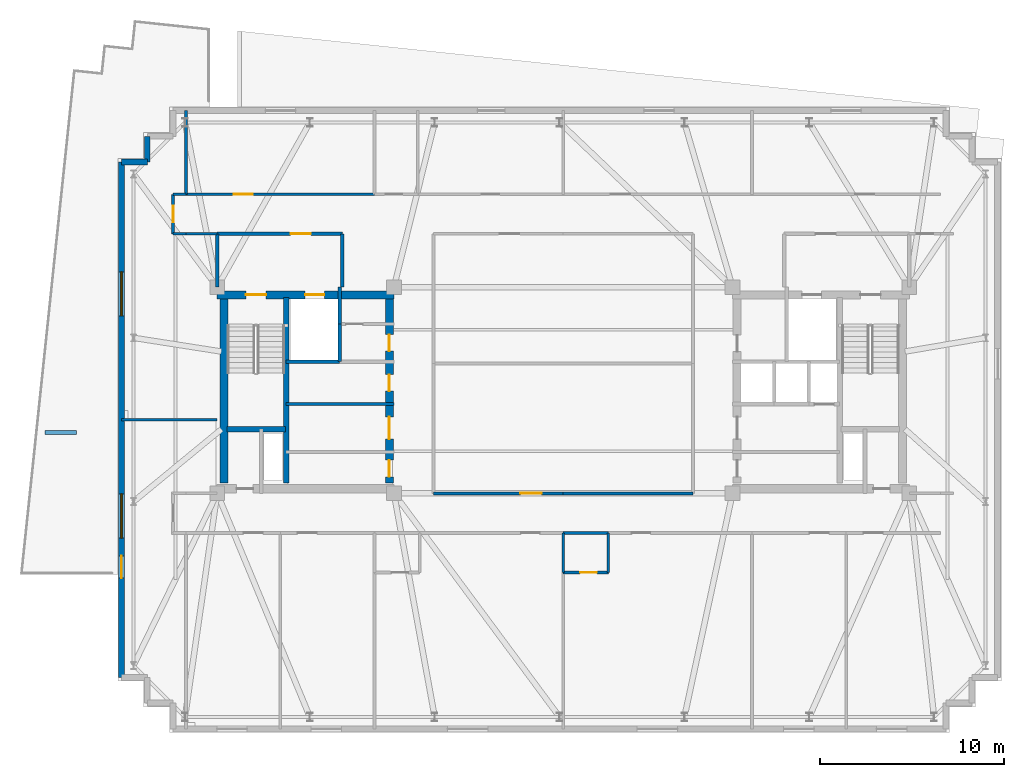
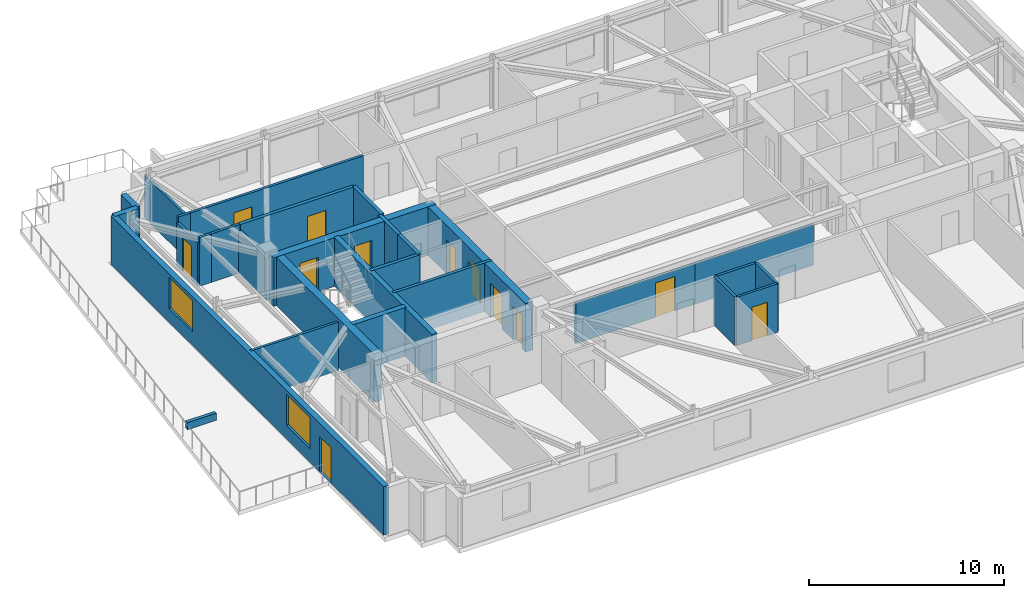
# One storey, part 6 of 12: 29 walls, 12 doors, 2 windows, 14 openings.
"""IFC4 building model written with IfcOpenShell, lengths in metres."""

from ifc_helpers import new_model, si_unit, direction, frame, frame_2d, origin, place, context, subcontext, project, spatial, rectangle, extrude, material, layer, layer_set, type_object, element, fill, save


model = new_model("IFC4")

# Units and contexts
model_context = context("Model", 3, precision=1e-05, world=origin(), true_north=direction((0.0, 1.0)))
body_context = subcontext(model_context, "Body", "Model", "MODEL_VIEW")
ifc_project = project(units=[si_unit("LENGTHUNIT", "METRE"), si_unit("AREAUNIT", "SQUARE_METRE"), si_unit("VOLUMEUNIT", "CUBIC_METRE"), si_unit("PLANEANGLEUNIT", "RADIAN"), si_unit("MASSUNIT", "GRAM", prefix="KILO")], contexts=[model_context])

# Site, building, storey
site_placement = place(None, origin())
site = spatial("IfcSite", under=ifc_project, at=site_placement, CompositionType="ELEMENT")
building_placement = place(site_placement, origin())
building = spatial("IfcBuilding", under=site, at=building_placement, Name="Qobustan Lattice House", CompositionType="ELEMENT")
storey_placement = place(building_placement, frame((0.0, 0.0, 228.300048828125)))
storey = spatial("IfcBuildingStorey", under=building, at=storey_placement, Name="L64", CompositionType="ELEMENT", Elevation=228.300048828125)

# Wall, openings, doors
ifc_material_1 = material(Name="Concrete C50/60", Category="concrete")
ifc_layer_1 = layer(ifc_material_1, 0.43994140625)
ifc_layer_set_1 = layer_set([ifc_layer_1], Name="Concrete C50/60")
wall_type_1 = type_object("IfcWallType", Name="WAL-CORE-440", PredefinedType="SHEAR", material=ifc_layer_set_1)
wall_1_placement = place(storey_placement, frame((-18.800048828125, 5.179931640625, 0.0), z_axis=(0.0, 0.0, 1.0), x_axis=(1.0, 0.0, 0.0)))
wall_1 = element("IfcWall", 1, at=wall_1_placement, inside=storey, type_object=wall_type_1, Name="L64 split-core shear wall CW-N", PredefinedType="SHEAR", context=body_context, shape_type="SweptSolid", body=[
    extrude(rectangle(XDim=9.60009765625, YDim=0.43994140625, at=frame_2d((4.800048828125, 0.0))), origin(), (0.0, 0.0, 1.0), 3.0400390625),
])
opening_1_placement = place(wall_1_placement, frame((1.550048828125, 0.0, 0.0)))
opening_1 = element("IfcOpeningElement", 2, at=opening_1_placement, cuts=wall_1, Name="Opening SD-01", PredefinedType="OPENING", context=body_context, shape_type="SweptSolid", body=[
    extrude(rectangle(XDim=1.10009765625, YDim=2.14990234375, at=frame_2d((0.550048828125, 1.074951171875))), frame((0.0, 0.22998046875, 0.0), z_axis=(0.0, -1.0, 0.0), x_axis=(1.0, 0.0, 0.0)), (0.0, 0.0, 1.0), 0.4599609375),
])
opening_2_placement = place(wall_1_placement, frame((4.77490234375, 0.0, 0.0)))
opening_2 = element("IfcOpeningElement", 3, at=opening_2_placement, cuts=wall_1, Name="Opening LD-01", PredefinedType="OPENING", context=body_context, shape_type="SweptSolid", body=[
    extrude(rectangle(XDim=1.050048828125, YDim=2.10009765625, at=frame_2d((0.52490234375, 1.050048828125))), frame((0.0, 0.22998046875, 0.0), z_axis=(0.0, -1.0, 0.0), x_axis=(1.0, 0.0, 0.0)), (0.0, 0.0, 1.0), 0.4599609375),
])
ifc_material_2 = material(Name="Persian walnut timber and steel frame door", Category="steel")
door_type_1 = type_object("IfcDoorType", Name="DOR-LIFT-LD-1050x2100", OperationType="NOTDEFINED", PredefinedType="DOOR", material=ifc_material_2)
door_1_placement = place(opening_2_placement, origin())
door_1 = element("IfcDoor", 4, at=door_1_placement, inside=storey, type_object=door_type_1, Name="L64 firefighting lift FF-W landing door", OperationType="DOUBLE_DOOR_SLIDING", OverallHeight=2.10009765625, OverallWidth=1.050048828125, PredefinedType="DOOR", context=body_context, shape_type="SweptSolid", body=[
    extrude(rectangle(XDim=1.050048828125, YDim=2.10009765625, at=frame_2d((0.52490234375, 1.050048828125))), frame((0.0, 0.02490234375, 0.0), z_axis=(0.0, -1.0, 0.0), x_axis=(1.0, 0.0, 0.0)), (0.0, 0.0, 1.0), 0.050048828125),
])
fill(opening_2, door_1)
ifc_material_3 = material(Name="Persian walnut timber and steel frame door", Category="steel")
door_type_2 = type_object("IfcDoorType", Name="DOR-STAIR-FD-1100x2150", OperationType="NOTDEFINED", PredefinedType="DOOR", material=ifc_material_3)
door_2_placement = place(opening_1_placement, origin())
door_2 = element("IfcDoor", 5, at=door_2_placement, inside=storey, type_object=door_type_2, Name="L64 exit stair ST-W1 fire door", OperationType="SINGLE_SWING_LEFT", OverallHeight=2.14990234375, OverallWidth=1.10009765625, PredefinedType="DOOR", context=body_context, shape_type="SweptSolid", body=[
    extrude(rectangle(XDim=1.10009765625, YDim=2.14990234375, at=frame_2d((0.550048828125, 1.074951171875))), frame((0.0, 0.02490234375, 0.0), z_axis=(0.0, -1.0, 0.0), x_axis=(1.0, 0.0, 0.0)), (0.0, 0.0, 1.0), 0.050048828125),
])
fill(opening_1, door_2)

# Wall
wall_2_placement = place(storey_placement, frame((-18.429931640625, -5.050048828125, 0.0), z_axis=(0.0, 0.0, 1.0), x_axis=(0.0, 1.0, 0.0)))
element("IfcWall", 6, at=wall_2_placement, inside=storey, type_object=wall_type_1, Name="L64 split-core shear wall CW-W", PredefinedType="SHEAR", context=body_context, shape_type="SweptSolid", body=[
    extrude(rectangle(XDim=10.10009765625, YDim=0.43994140625, at=frame_2d((5.050048828125, 0.0))), origin(), (0.0, 0.0, 1.0), 3.0400390625),
])

# Wall, openings, doors
wall_3_placement = place(storey_placement, frame((-9.449951171875, -5.050048828125, 0.0), z_axis=(0.0, 0.0, 1.0), x_axis=(0.0, 1.0, 0.0)))
wall_3 = element("IfcWall", 7, at=wall_3_placement, inside=storey, type_object=wall_type_1, Name="L64 split-core shear wall CW-E", PredefinedType="SHEAR", context=body_context, shape_type="SweptSolid", body=[
    extrude(rectangle(XDim=10.10009765625, YDim=0.43994140625, at=frame_2d((5.050048828125, 0.0))), origin(), (0.0, 0.0, 1.0), 3.0400390625),
])
opening_3_placement = place(wall_3_placement, frame((7.175048828125, 0.0, 0.0)))
opening_3 = element("IfcOpeningElement", 8, at=opening_3_placement, cuts=wall_3, Name="Opening RD-01", PredefinedType="OPENING", context=body_context, shape_type="SweptSolid", body=[
    extrude(rectangle(XDim=0.89990234375, YDim=2.10009765625, at=frame_2d((0.449951171875, 1.050048828125))), frame((0.0, 0.22998046875, 0.0), z_axis=(0.0, -1.0, 0.0), x_axis=(1.0, 0.0, 0.0)), (0.0, 0.0, 1.0), 0.4599609375),
])
opening_4_placement = place(wall_3_placement, frame((2.39990234375, 0.0, 0.0)))
opening_4 = element("IfcOpeningElement", 9, at=opening_4_placement, cuts=wall_3, Name="Opening FD-01", PredefinedType="OPENING", context=body_context, shape_type="SweptSolid", body=[
    extrude(rectangle(XDim=1.199951171875, YDim=2.14990234375, at=frame_2d((0.60009765625, 1.074951171875))), frame((0.0, 0.22998046875, 0.0), z_axis=(0.0, -1.0, 0.0), x_axis=(1.0, 0.0, 0.0)), (0.0, 0.0, 1.0), 0.4599609375),
])
opening_5_placement = place(wall_3_placement, frame((0.35009765625, 0.0, 0.0)))
opening_5 = element("IfcOpeningElement", 10, at=opening_5_placement, cuts=wall_3, Name="Opening RD-01", PredefinedType="OPENING", context=body_context, shape_type="SweptSolid", body=[
    extrude(rectangle(XDim=0.89990234375, YDim=2.10009765625, at=frame_2d((0.449951171875, 1.050048828125))), frame((0.0, 0.22998046875, 0.0), z_axis=(0.0, -1.0, 0.0), x_axis=(1.0, 0.0, 0.0)), (0.0, 0.0, 1.0), 0.4599609375),
])
opening_6_placement = place(wall_3_placement, frame((5.0, 0.0, 0.0)))
opening_6 = element("IfcOpeningElement", 11, at=opening_6_placement, cuts=wall_3, Name="Opening RD-01", PredefinedType="OPENING", context=body_context, shape_type="SweptSolid", body=[
    extrude(rectangle(XDim=0.89990234375, YDim=2.10009765625, at=frame_2d((0.449951171875, 1.050048828125))), frame((0.0, 0.22998046875, 0.0), z_axis=(0.0, -1.0, 0.0), x_axis=(1.0, 0.0, 0.0)), (0.0, 0.0, 1.0), 0.4599609375),
])
ifc_material_4 = material(Name="Persian walnut timber and steel frame door", Category="steel")
door_type_3 = type_object("IfcDoorType", Name="DOR-LOBBY-FD-1200x2150", OperationType="NOTDEFINED", PredefinedType="DOOR", material=ifc_material_4)
door_3_placement = place(opening_4_placement, origin())
door_3 = element("IfcDoor", 12, at=door_3_placement, inside=storey, type_object=door_type_3, Name="L64 West core foyer fire door", OperationType="SINGLE_SWING_RIGHT", OverallHeight=2.14990234375, OverallWidth=1.199951171875, PredefinedType="DOOR", context=body_context, shape_type="SweptSolid", body=[
    extrude(rectangle(XDim=1.199951171875, YDim=2.14990234375, at=frame_2d((0.60009765625, 1.074951171875))), frame((0.0, 0.02490234375, 0.0), z_axis=(0.0, -1.0, 0.0), x_axis=(1.0, 0.0, 0.0)), (0.0, 0.0, 1.0), 0.050048828125),
])
fill(opening_4, door_3)
ifc_material_5 = material(Name="Persian walnut timber and steel frame door", Category="steel")
door_type_4 = type_object("IfcDoorType", Name="DOR-RISER-FD-900x2100", OperationType="NOTDEFINED", PredefinedType="DOOR", material=ifc_material_5)
door_4_placement = place(opening_3_placement, origin())
door_4 = element("IfcDoor", 13, at=door_4_placement, inside=storey, type_object=door_type_4, Name="L64 Core utility lobby fire door", OperationType="SINGLE_SWING_LEFT", OverallHeight=2.10009765625, OverallWidth=0.89990234375, PredefinedType="DOOR", context=body_context, shape_type="SweptSolid", body=[
    extrude(rectangle(XDim=0.89990234375, YDim=2.10009765625, at=frame_2d((0.449951171875, 1.050048828125))), frame((0.0, 0.02490234375, 0.0), z_axis=(0.0, -1.0, 0.0), x_axis=(1.0, 0.0, 0.0)), (0.0, 0.0, 1.0), 0.050048828125),
])
fill(opening_3, door_4)
door_5_placement = place(opening_5_placement, origin())
door_5 = element("IfcDoor", 14, at=door_5_placement, inside=storey, type_object=door_type_4, Name="L64 Quiet study alcove fire door", OperationType="SINGLE_SWING_LEFT", OverallHeight=2.10009765625, OverallWidth=0.89990234375, PredefinedType="DOOR", context=body_context, shape_type="SweptSolid", body=[
    extrude(rectangle(XDim=0.89990234375, YDim=2.10009765625, at=frame_2d((0.449951171875, 1.050048828125))), frame((0.0, 0.02490234375, 0.0), z_axis=(0.0, -1.0, 0.0), x_axis=(1.0, 0.0, 0.0)), (0.0, 0.0, 1.0), 0.050048828125),
])
fill(opening_5, door_5)
door_6_placement = place(opening_6_placement, origin())
door_6 = element("IfcDoor", 15, at=door_6_placement, inside=storey, type_object=door_type_4, Name="L64 Resident reading pod fire door", OperationType="SINGLE_SWING_RIGHT", OverallHeight=2.10009765625, OverallWidth=0.89990234375, PredefinedType="DOOR", context=body_context, shape_type="SweptSolid", body=[
    extrude(rectangle(XDim=0.89990234375, YDim=2.10009765625, at=frame_2d((0.449951171875, 1.050048828125))), frame((0.0, 0.02490234375, 0.0), z_axis=(0.0, -1.0, 0.0), x_axis=(1.0, 0.0, 0.0)), (0.0, 0.0, 1.0), 0.050048828125),
])
fill(opening_6, door_6)

# Walls
ifc_material_6 = material(Name="Concrete C50/60", Category="concrete")
ifc_layer_2 = layer(ifc_material_6, 0.280029296875)
ifc_layer_set_2 = layer_set([ifc_layer_2], Name="Concrete C50/60")
wall_type_2 = type_object("IfcWallType", Name="WAL-CORE-SPINE-280", PredefinedType="SHEAR", material=ifc_layer_set_2)
wall_4_placement = place(storey_placement, frame((-15.050048828125, -5.050048828125, 0.0), z_axis=(0.0, 0.0, 1.0), x_axis=(0.0, 1.0, 0.0)))
element("IfcWall", 16, at=wall_4_placement, inside=storey, type_object=wall_type_2, Name="L64 split-core shear wall CW-M", PredefinedType="SHEAR", context=body_context, shape_type="SweptSolid", body=[
    extrude(rectangle(XDim=10.10009765625, YDim=0.300048828125, at=frame_2d((5.050048828125, 0.0))), origin(), (0.0, 0.0, 1.0), 3.0400390625),
])
wall_5_placement = place(storey_placement, frame((-18.280029296875, -2.110107421875, 0.0), z_axis=(0.0, 0.0, 1.0), x_axis=(1.0, 0.0, 0.0)))
element("IfcWall", 17, at=wall_5_placement, inside=storey, type_object=wall_type_2, Name="L64 split-core shear wall CW-ST", PredefinedType="SHEAR", context=body_context, shape_type="SweptSolid", body=[
    extrude(rectangle(XDim=3.179931640625, YDim=0.300048828125, at=frame_2d((1.58984375, 0.0))), origin(), (0.0, 0.0, 1.0), 3.0400390625),
])

# Wall, openings, door, windows
ifc_material_7 = material(Name="Precast concrete C40/50", Category="concrete")
ifc_layer_3 = layer(ifc_material_7, 0.320068359375)
ifc_layer_set_3 = layer_set([ifc_layer_3], Name="Precast concrete C40/50")
wall_type_3 = type_object("IfcWallType", Name="WAL-EXT-STONE-320", PredefinedType="SOLIDWALL", material=ifc_layer_set_3)
wall_6_placement = place(storey_placement, frame((-24.0, -15.60009765625, 0.0), z_axis=(0.0, 0.0, 1.0), x_axis=(0.0, 1.0, 0.0)))
wall_6 = element("IfcWall", 18, at=wall_6_placement, inside=storey, type_object=wall_type_3, Name="L64 exterior limestone-clad wall 5", PredefinedType="SOLIDWALL", context=body_context, shape_type="SweptSolid", body=[
    extrude(rectangle(XDim=28.0, YDim=0.320068359375, at=frame_2d((14.0, 0.0))), origin(), (0.0, 0.0, 1.0), 3.0400390625),
])
opening_7_placement = place(wall_6_placement, frame((5.39990234375, 0.0, 0.0)))
opening_7 = element("IfcOpeningElement", 19, at=opening_7_placement, cuts=wall_6, Name="Opening TD-01", PredefinedType="OPENING", context=body_context, shape_type="SweptSolid", body=[
    extrude(rectangle(XDim=1.199951171875, YDim=2.199951171875, at=frame_2d((0.60009765625, 1.10009765625))), frame((0.0, 0.169921875, 0.0), z_axis=(0.0, -1.0, 0.0), x_axis=(1.0, 0.0, 0.0)), (0.0, 0.0, 1.0), 0.340087890625),
])
opening_8_placement = place(wall_6_placement, frame((7.572998046875, 0.0, 0.85009765625)))
opening_8 = element("IfcOpeningElement", 20, at=opening_8_placement, cuts=wall_6, Name="Opening WN-10", PredefinedType="OPENING", context=body_context, shape_type="SweptSolid", body=[
    extrude(rectangle(XDim=2.39990234375, YDim=1.949951171875, at=frame_2d((1.199951171875, 0.97509765625))), frame((0.0, 0.169921875, 0.0), z_axis=(0.0, -1.0, 0.0), x_axis=(1.0, 0.0, 0.0)), (0.0, 0.0, 1.0), 0.340087890625),
])
opening_9_placement = place(wall_6_placement, frame((19.639892578125, 0.0, 0.85009765625)))
opening_9 = element("IfcOpeningElement", 21, at=opening_9_placement, cuts=wall_6, Name="Opening WN-10", PredefinedType="OPENING", context=body_context, shape_type="SweptSolid", body=[
    extrude(rectangle(XDim=2.39990234375, YDim=1.949951171875, at=frame_2d((1.199951171875, 0.97509765625))), frame((0.0, 0.169921875, 0.0), z_axis=(0.0, -1.0, 0.0), x_axis=(1.0, 0.0, 0.0)), (0.0, 0.0, 1.0), 0.340087890625),
])
ifc_material_8 = material(Name="Thermally broken anodised aluminium glazed door", Category="aluminium")
door_type_5 = type_object("IfcDoorType", Name="DOR-EXT-TERR-1200x2200", OperationType="NOTDEFINED", PredefinedType="DOOR", material=ifc_material_8)
door_7_placement = place(opening_7_placement, origin())
door_7 = element("IfcDoor", 22, at=door_7_placement, inside=storey, type_object=door_type_5, Name="L64 outdoor terrace access door", OperationType="SINGLE_SWING_LEFT", OverallHeight=2.199951171875, OverallWidth=1.199951171875, PredefinedType="DOOR", context=body_context, shape_type="SweptSolid", body=[
    extrude(rectangle(XDim=1.199951171875, YDim=2.199951171875, at=frame_2d((0.60009765625, 1.10009765625))), frame((0.0, 0.02490234375, 0.0), z_axis=(0.0, -1.0, 0.0), x_axis=(1.0, 0.0, 0.0)), (0.0, 0.0, 1.0), 0.050048828125),
])
fill(opening_7, door_7)
ifc_material_9 = material(Name="Double-glazed low-E aluminium window", Category="aluminium")
window_type = type_object("IfcWindowType", Name="WIN-LNG-2400x1950", PartitioningType="SINGLE_PANEL", PredefinedType="WINDOW", material=ifc_material_9)
window_1_placement = place(opening_8_placement, origin())
window_1 = element("IfcWindow", 23, at=window_1_placement, inside=storey, type_object=window_type, Name="L64 Spiral terrace south lounge window", OverallHeight=1.949951171875, OverallWidth=2.39990234375, PartitioningType="SINGLE_PANEL", PredefinedType="WINDOW", context=body_context, shape_type="SweptSolid", body=[
    extrude(rectangle(XDim=2.39990234375, YDim=1.949951171875, at=frame_2d((1.199951171875, 0.97509765625))), frame((0.0, 0.030029296875, 0.0), z_axis=(0.0, -1.0, 0.0), x_axis=(1.0, 0.0, 0.0)), (0.0, 0.0, 1.0), 0.06005859375),
])
fill(opening_8, window_1)
window_2_placement = place(opening_9_placement, origin())
window_2 = element("IfcWindow", 24, at=window_2_placement, inside=storey, type_object=window_type, Name="L64 Spiral terrace north lounge window", OverallHeight=1.949951171875, OverallWidth=2.39990234375, PartitioningType="SINGLE_PANEL", PredefinedType="WINDOW", context=body_context, shape_type="SweptSolid", body=[
    extrude(rectangle(XDim=2.39990234375, YDim=1.949951171875, at=frame_2d((1.199951171875, 0.97509765625))), frame((0.0, 0.030029296875, 0.0), z_axis=(0.0, -1.0, 0.0), x_axis=(1.0, 0.0, 0.0)), (0.0, 0.0, 1.0), 0.06005859375),
])
fill(opening_9, window_2)

# Walls
wall_7_placement = place(storey_placement, frame((-24.0, 12.39990234375, 0.0), z_axis=(0.0, 0.0, 1.0), x_axis=(1.0, 0.0, 0.0)))
element("IfcWall", 25, at=wall_7_placement, inside=storey, type_object=wall_type_3, Name="L64 exterior limestone-clad wall 6", PredefinedType="SOLIDWALL", context=body_context, shape_type="SweptSolid", body=[
    extrude(rectangle(XDim=1.39990234375, YDim=0.320068359375, at=frame_2d((0.699951171875, 0.0))), origin(), (0.0, 0.0, 1.0), 3.0400390625),
])
wall_8_placement = place(storey_placement, frame((-22.60009765625, 12.39990234375, 0.0), z_axis=(0.0, 0.0, 1.0), x_axis=(0.0, 1.0, 0.0)))
element("IfcWall", 26, at=wall_8_placement, inside=storey, type_object=wall_type_3, Name="L64 exterior limestone-clad wall 7", PredefinedType="SOLIDWALL", context=body_context, shape_type="SweptSolid", body=[
    extrude(rectangle(XDim=1.400146484375, YDim=0.320068359375, at=frame_2d((0.7001953125, 0.0))), origin(), (0.0, 0.0, 1.0), 3.0400390625),
])
ifc_material_10 = material(Name="Gypsum fireboard acoustic partition", Category="gypsum")
ifc_layer_4 = layer(ifc_material_10, 0.179931640625)
ifc_layer_set_4 = layer_set([ifc_layer_4], Name="Gypsum fireboard acoustic partition")
wall_type_4 = type_object("IfcWallType", Name="WAL-FIRE-180", PredefinedType="PARTITIONING", material=ifc_layer_set_4)
wall_9_placement = place(storey_placement, frame((-9.199951171875, -0.75, 0.0), z_axis=(0.0, 0.0, 1.0), x_axis=(-1.0, 0.0, 0.0)))
element("IfcWall", 27, at=wall_9_placement, inside=storey, type_object=wall_type_4, Name="L64 interior partition 11", PredefinedType="PARTITIONING", context=body_context, shape_type="SweptSolid", body=[
    extrude(rectangle(XDim=5.85009765625, YDim=0.179931640625, at=frame_2d((2.925048828125, 0.0))), origin(), (0.0, 0.0, 1.0), 3.0400390625),
])

# Wall, opening, door
ifc_material_11 = material(Name="Acoustic twin-stud gypsum partition", Category="gypsum")
ifc_layer_5 = layer(ifc_material_11, 0.14990234375)
ifc_layer_set_5 = layer_set([ifc_layer_5], Name="Acoustic twin-stud gypsum partition")
wall_type_5 = type_object("IfcWallType", Name="WAL-PART-150", PredefinedType="PARTITIONING", material=ifc_layer_set_5)
wall_10_placement = place(storey_placement, frame((-21.199951171875, 8.5, 0.0), z_axis=(0.0, 0.0, 1.0), x_axis=(0.0, 1.0, 0.0)))
wall_10 = element("IfcWall", 28, at=wall_10_placement, inside=storey, type_object=wall_type_5, Name="L64 interior partition 29", PredefinedType="PARTITIONING", context=body_context, shape_type="SweptSolid", body=[
    extrude(rectangle(XDim=2.14990234375, YDim=0.14990234375, at=frame_2d((1.074951171875, 0.0))), origin(), (0.0, 0.0, 1.0), 2.695068359375),
])
opening_10_placement = place(wall_10_placement, frame((0.625, 0.0, 0.0)))
opening_10 = element("IfcOpeningElement", 29, at=opening_10_placement, cuts=wall_10, Name="Opening WD-01", PredefinedType="OPENING", context=body_context, shape_type="SweptSolid", body=[
    extrude(rectangle(XDim=0.89990234375, YDim=2.10009765625, at=frame_2d((0.449951171875, 1.050048828125))), frame((0.0, 0.0849609375, 0.0), z_axis=(0.0, -1.0, 0.0), x_axis=(1.0, 0.0, 0.0)), (0.0, 0.0, 1.0), 0.169921875),
])
ifc_material_12 = material(Name="Persian walnut timber and steel frame door", Category="steel")
door_type_6 = type_object("IfcDoorType", Name="DOR-WET-900x2100", OperationType="NOTDEFINED", PredefinedType="DOOR", material=ifc_material_12)
door_8_placement = place(opening_10_placement, origin())
door_8 = element("IfcDoor", 30, at=door_8_placement, inside=storey, type_object=door_type_6, Name="L64 North-west floor corridor to Spiral terrace north lounge door", OperationType="SINGLE_SWING_LEFT", OverallHeight=2.10009765625, OverallWidth=0.89990234375, PredefinedType="DOOR", context=body_context, shape_type="SweptSolid", body=[
    extrude(rectangle(XDim=0.89990234375, YDim=2.10009765625, at=frame_2d((0.449951171875, 1.050048828125))), frame((0.0, 0.02490234375, 0.0), z_axis=(0.0, -1.0, 0.0), x_axis=(1.0, 0.0, 0.0)), (0.0, 0.0, 1.0), 0.050048828125),
])
fill(opening_10, door_8)

# Walls
wall_11_placement = place(storey_placement, frame((-18.800048828125, 8.5, 0.0), z_axis=(0.0, 0.0, 1.0), x_axis=(-1.0, 0.0, 0.0)))
element("IfcWall", 31, at=wall_11_placement, inside=storey, type_object=wall_type_5, Name="L64 interior partition 30", PredefinedType="PARTITIONING", context=body_context, shape_type="SweptSolid", body=[
    extrude(rectangle(XDim=1.699951171875, YDim=0.14990234375, at=frame_2d((0.85009765625, 0.0))), origin(), (0.0, 0.0, 1.0), 3.0400390625),
])
for number, where, z_axis, x_axis, name in (
    (32, (-20.5, 8.5, 0.0), (0.0, 0.0, 1.0), (-1.0, 0.0, 0.0), "L64 interior partition 31"),
    (33, (-21.199951171875, 10.64990234375, 0.0), (0.0, 0.0, 1.0), (1.0, 0.0, 0.0), "L64 interior partition 32"),
):
    element("IfcWall", number, at=place(storey_placement, frame(where, z_axis=z_axis, x_axis=x_axis)), inside=storey, type_object=wall_type_5, Name=name, PredefinedType="PARTITIONING", context=body_context, shape_type="SweptSolid", body=[
        extrude(rectangle(XDim=0.699951171875, YDim=0.14990234375, at=frame_2d((0.35009765625, 0.0))), origin(), (0.0, 0.0, 1.0), 3.0400390625),
    ])

# Wall, opening, door
wall_12_placement = place(storey_placement, frame((-20.5, 10.64990234375, 0.0), z_axis=(0.0, 0.0, 1.0), x_axis=(1.0, 0.0, 0.0)))
wall_12 = element("IfcWall", 34, at=wall_12_placement, inside=storey, type_object=wall_type_5, Name="L64 interior partition 33", PredefinedType="PARTITIONING", context=body_context, shape_type="SweptSolid", body=[
    extrude(rectangle(XDim=10.25, YDim=0.14990234375, at=frame_2d((5.125, 0.0))), origin(), (0.0, 0.0, 1.0), 3.0400390625),
])
opening_11_placement = place(wall_12_placement, frame((2.590087890625, 0.0, 0.0)))
opening_11 = element("IfcOpeningElement", 35, at=opening_11_placement, cuts=wall_12, Name="Opening ID-02", PredefinedType="OPENING", context=body_context, shape_type="SweptSolid", body=[
    extrude(rectangle(XDim=1.050048828125, YDim=2.14990234375, at=frame_2d((0.52490234375, 1.074951171875))), frame((0.0, 0.0849609375, 0.0), z_axis=(0.0, -1.0, 0.0), x_axis=(1.0, 0.0, 0.0)), (0.0, 0.0, 1.0), 0.169921875),
])
ifc_material_13 = material(Name="Persian walnut timber and steel frame door", Category="steel")
door_type_7 = type_object("IfcDoorType", Name="DOR-STUDY-1050x2150", OperationType="NOTDEFINED", PredefinedType="DOOR", material=ifc_material_13)
door_9_placement = place(opening_11_placement, origin())
door_9 = element("IfcDoor", 36, at=door_9_placement, inside=storey, type_object=door_type_7, Name="L64 North-west floor corridor to Focus study room N1 door", OperationType="SINGLE_SWING_RIGHT", OverallHeight=2.14990234375, OverallWidth=1.050048828125, PredefinedType="DOOR", context=body_context, shape_type="SweptSolid", body=[
    extrude(rectangle(XDim=1.050048828125, YDim=2.14990234375, at=frame_2d((0.52490234375, 1.074951171875))), frame((0.0, 0.02490234375, 0.0), z_axis=(0.0, -1.0, 0.0), x_axis=(1.0, 0.0, 0.0)), (0.0, 0.0, 1.0), 0.050048828125),
])
fill(opening_11, door_9)

# Walls
wall_13_placement = place(storey_placement, frame((-24.0, -1.60009765625, 0.0), z_axis=(0.0, 0.0, 1.0), x_axis=(1.0, 0.0, 0.0)))
element("IfcWall", 37, at=wall_13_placement, inside=storey, type_object=wall_type_5, Name="L64 interior partition 62", PredefinedType="PARTITIONING", context=body_context, shape_type="SweptSolid", body=[
    extrude(rectangle(XDim=5.199951171875, YDim=0.14990234375, at=frame_2d((2.60009765625, 0.0))), origin(), (0.0, 0.0, 1.0), 3.0400390625),
])
wall_14_placement = place(storey_placement, frame((-20.5, 15.199951171875, 0.0), z_axis=(0.0, 0.0, 1.0), x_axis=(0.0, -1.0, 0.0)))
element("IfcWall", 38, at=wall_14_placement, inside=storey, type_object=wall_type_5, Name="L64 interior partition 64", PredefinedType="PARTITIONING", context=body_context, shape_type="SweptSolid", body=[
    extrude(rectangle(XDim=4.550048828125, YDim=0.14990234375, at=frame_2d((2.27490234375, 0.0))), origin(), (0.0, 0.0, 1.0), 2.6650390625),
])

# Wall, opening, door
ifc_material_14 = material(Name="High-mass acoustic twin-stud partition", Category="gypsum")
ifc_layer_6 = layer(ifc_material_14, 0.1650390625)
ifc_layer_set_6 = layer_set([ifc_layer_6], Name="High-mass acoustic twin-stud partition")
wall_type_6 = type_object("IfcWallType", Name="WAL-PART-165", PredefinedType="PARTITIONING", material=ifc_layer_set_6)
wall_15_placement = place(storey_placement, frame((-7.050048828125, -5.60009765625, 0.0), z_axis=(0.0, 0.0, 1.0), x_axis=(1.0, 0.0, 0.0)))
wall_15 = element("IfcWall", 39, at=wall_15_placement, inside=storey, type_object=wall_type_6, Name="L64 interior partition 50", PredefinedType="PARTITIONING", context=body_context, shape_type="SweptSolid", body=[
    extrude(rectangle(XDim=7.050048828125, YDim=0.1650390625, at=frame_2d((3.52490234375, 0.0))), origin(), (0.0, 0.0, 1.0), 2.52490234375),
])
opening_12_placement = place(wall_15_placement, frame((4.7275390625, 0.0, 0.0)))
opening_12 = element("IfcOpeningElement", 40, at=opening_12_placement, cuts=wall_15, Name="Opening ID-03", PredefinedType="OPENING", context=body_context, shape_type="SweptSolid", body=[
    extrude(rectangle(XDim=1.14990234375, YDim=2.14990234375, at=frame_2d((0.574951171875, 1.074951171875))), frame((0.0, 0.092529296875, 0.0), z_axis=(0.0, -1.0, 0.0), x_axis=(1.0, 0.0, 0.0)), (0.0, 0.0, 1.0), 0.18505859375),
])
ifc_material_15 = material(Name="Persian walnut timber and steel frame door", Category="steel")
door_type_8 = type_object("IfcDoorType", Name="DOR-KITCH-1150x2150", OperationType="NOTDEFINED", PredefinedType="DOOR", material=ifc_material_15)
door_10_placement = place(opening_12_placement, origin())
door_10 = element("IfcDoor", 41, at=door_10_placement, inside=storey, type_object=door_type_8, Name="L64 South-west floor corridor to Communal dining kitchen door", OperationType="SINGLE_SWING_LEFT", OverallHeight=2.14990234375, OverallWidth=1.14990234375, PredefinedType="DOOR", context=body_context, shape_type="SweptSolid", body=[
    extrude(rectangle(XDim=1.14990234375, YDim=2.14990234375, at=frame_2d((0.574951171875, 1.074951171875))), frame((0.0, 0.02490234375, 0.0), z_axis=(0.0, -1.0, 0.0), x_axis=(1.0, 0.0, 0.0)), (0.0, 0.0, 1.0), 0.050048828125),
])
fill(opening_12, door_10)

# Walls
wall_16_placement = place(storey_placement, frame((0.0, -5.60009765625, 0.0), z_axis=(0.0, 0.0, 1.0), x_axis=(1.0, 0.0, 0.0)))
element("IfcWall", 42, at=wall_16_placement, inside=storey, type_object=wall_type_6, Name="L64 interior partition 57", PredefinedType="PARTITIONING", context=body_context, shape_type="SweptSolid", body=[
    extrude(rectangle(XDim=7.050048828125, YDim=0.1650390625, at=frame_2d((3.52490234375, 0.0))), origin(), (0.0, 0.0, 1.0), 2.52490234375),
])
ifc_material_16 = material(Name="Qobustan buff limestone", Category="masonry")
ifc_layer_7 = layer(ifc_material_16, 0.199951171875)
ifc_layer_set_7 = layer_set([ifc_layer_7], Name="Qobustan buff limestone")
wall_type_7 = type_object("IfcWallType", Name="WAL-PLANTER-200", PredefinedType="USERDEFINED", material=ifc_layer_set_7)
wall_17_placement = place(storey_placement, frame((-28.14990234375, -2.29150390625, 0.0), z_axis=(0.0, 0.0, 1.0), x_axis=(1.0, 0.0, 0.0)))
element("IfcWall", 43, at=wall_17_placement, inside=storey, type_object=wall_type_7, Name="L64 planted terrace stone planter", ObjectType="PLANTER", PredefinedType="USERDEFINED", context=body_context, shape_type="SweptSolid", body=[
    extrude(rectangle(XDim=1.699951171875, YDim=0.199951171875, at=frame_2d((0.85009765625, 0.0))), origin(), (0.0, 0.0, 1.0), 0.449951171875),
])

# Wall, opening, door
ifc_material_17 = material(Name="Two-hour gypsum fireboard acoustic partition", Category="gypsum")
ifc_layer_8 = layer(ifc_material_17, 0.199951171875)
ifc_layer_set_8 = layer_set([ifc_layer_8], Name="Two-hour gypsum fireboard acoustic partition")
wall_type_8 = type_object("IfcWallType", Name="WAL-PROT-200", PredefinedType="PARTITIONING", material=ifc_layer_set_8)
wall_18_placement = place(storey_placement, frame((-12.0, 8.5, 0.0), z_axis=(0.0, 0.0, 1.0), x_axis=(-1.0, 0.0, 0.0)))
wall_18 = element("IfcWall", 44, at=wall_18_placement, inside=storey, type_object=wall_type_8, Name="L64 interior partition 4", PredefinedType="PARTITIONING", context=body_context, shape_type="SweptSolid", body=[
    extrude(rectangle(XDim=6.800048828125, YDim=0.199951171875, at=frame_2d((3.39990234375, 0.0))), origin(), (0.0, 0.0, 1.0), 3.0400390625),
])
opening_13_placement = place(wall_18_placement, frame((1.715087890625, 0.0, 0.0)))
opening_13 = element("IfcOpeningElement", 45, at=opening_13_placement, cuts=wall_18, Name="Opening SD-01", PredefinedType="OPENING", context=body_context, shape_type="SweptSolid", body=[
    extrude(rectangle(XDim=1.10009765625, YDim=2.14990234375, at=frame_2d((0.550048828125, 1.074951171875))), frame((0.0, 0.10986328125, 0.0), z_axis=(0.0, -1.0, 0.0), x_axis=(1.0, 0.0, 0.0)), (0.0, 0.0, 1.0), 0.219970703125),
])
door_11_placement = place(opening_13_placement, origin())
door_11 = element("IfcDoor", 46, at=door_11_placement, inside=storey, type_object=door_type_2, Name="L64 West firefighting lift lobby to North-west floor corridor door", OperationType="SINGLE_SWING_LEFT", OverallHeight=2.14990234375, OverallWidth=1.10009765625, PredefinedType="DOOR", context=body_context, shape_type="SweptSolid", body=[
    extrude(rectangle(XDim=1.10009765625, YDim=2.14990234375, at=frame_2d((0.550048828125, 1.074951171875))), frame((0.0, 0.02490234375, 0.0), z_axis=(0.0, -1.0, 0.0), x_axis=(1.0, 0.0, 0.0)), (0.0, 0.0, 1.0), 0.050048828125),
])
fill(opening_13, door_11)

# Walls
wall_19_placement = place(storey_placement, frame((-12.0, 5.60009765625, 0.0), z_axis=(0.0, 0.0, 1.0), x_axis=(0.0, 1.0, 0.0)))
element("IfcWall", 47, at=wall_19_placement, inside=storey, type_object=wall_type_8, Name="L64 interior partition 5", PredefinedType="PARTITIONING", context=body_context, shape_type="SweptSolid", body=[
    extrude(rectangle(XDim=2.89990234375, YDim=0.199951171875, at=frame_2d((1.449951171875, 0.0))), origin(), (0.0, 0.0, 1.0), 3.0400390625),
])
wall_20_placement = place(storey_placement, frame((-18.800048828125, 8.5, 0.0), z_axis=(0.0, 0.0, 1.0), x_axis=(0.0, -1.0, 0.0)))
element("IfcWall", 48, at=wall_20_placement, inside=storey, type_object=wall_type_8, Name="L64 interior partition 6", PredefinedType="PARTITIONING", context=body_context, shape_type="SweptSolid", body=[
    extrude(rectangle(XDim=2.89990234375, YDim=0.199951171875, at=frame_2d((1.449951171875, 0.0))), origin(), (0.0, 0.0, 1.0), 2.6650390625),
])
ifc_material_18 = material(Name="Concrete C40/50", Category="concrete")
ifc_layer_9 = layer(ifc_material_18, 0.199951171875)
ifc_layer_set_9 = layer_set([ifc_layer_9], Name="Concrete C40/50")
wall_type_9 = type_object("IfcWallType", Name="WAL-SHAFT-200", PredefinedType="PARTITIONING", material=ifc_layer_set_9)
wall_21_placement = place(storey_placement, frame((-12.14990234375, 1.550048828125, 0.0), z_axis=(0.0, 0.0, 1.0), x_axis=(0.0, 1.0, 0.0)))
element("IfcWall", 49, at=wall_21_placement, inside=storey, type_object=wall_type_9, Name="L64 interior partition 2", PredefinedType="PARTITIONING", context=body_context, shape_type="SweptSolid", body=[
    extrude(rectangle(XDim=2.050048828125, YDim=0.199951171875, at=frame_2d((1.02490234375, 0.0))), origin(), (0.0, 0.0, 1.0), 3.0400390625),
])
wall_22_placement = place(storey_placement, frame((-12.14990234375, 3.60009765625, 0.0), z_axis=(0.0, 0.0, 1.0), x_axis=(0.0, 1.0, 0.0)))
element("IfcWall", 50, at=wall_22_placement, inside=storey, type_object=wall_type_9, Name="L64 interior partition 3", PredefinedType="PARTITIONING", context=body_context, shape_type="SweptSolid", body=[
    extrude(rectangle(XDim=2.0, YDim=0.199951171875, at=frame_2d((1.0, 0.0))), origin(), (0.0, 0.0, 1.0), 3.0400390625),
])
wall_23_placement = place(storey_placement, frame((-15.050048828125, 1.550048828125, 0.0), z_axis=(0.0, 0.0, 1.0), x_axis=(1.0, 0.0, 0.0)))
element("IfcWall", 51, at=wall_23_placement, inside=storey, type_object=wall_type_9, Name="L64 interior partition 81", PredefinedType="PARTITIONING", context=body_context, shape_type="SweptSolid", body=[
    extrude(rectangle(XDim=2.900146484375, YDim=0.199951171875, at=frame_2d((1.4501953125, 0.0))), origin(), (0.0, 0.0, 1.0), 3.0400390625),
])
ifc_material_19 = material(Name="Moisture-resistant acoustic plumbing wall", Category="gypsum")
ifc_layer_10 = layer(ifc_material_19, 0.14990234375)
ifc_layer_set_10 = layer_set([ifc_layer_10], Name="Moisture-resistant acoustic plumbing wall")
wall_type_10 = type_object("IfcWallType", Name="WAL-WET-150", PredefinedType="PLUMBINGWALL", material=ifc_layer_set_10)
wall_24_placement = place(storey_placement, frame((2.449951171875, -7.75, 0.0), z_axis=(0.0, 0.0, 1.0), x_axis=(-1.0, 0.0, 0.0)))
element("IfcWall", 52, at=wall_24_placement, inside=storey, type_object=wall_type_10, Name="L64 interior partition 54", PredefinedType="PLUMBINGWALL", context=body_context, shape_type="SweptSolid", body=[
    extrude(rectangle(XDim=2.449951171875, YDim=0.14990234375, at=frame_2d((1.22509765625, 0.0))), origin(), (0.0, 0.0, 1.0), 3.0400390625),
])
wall_25_placement = place(storey_placement, frame((0.0, -7.75, 0.0), z_axis=(0.0, 0.0, 1.0), x_axis=(0.0, -1.0, 0.0)))
element("IfcWall", 53, at=wall_25_placement, inside=storey, type_object=wall_type_10, Name="L64 interior partition 75", PredefinedType="PLUMBINGWALL", context=body_context, shape_type="SweptSolid", body=[
    extrude(rectangle(XDim=2.14990234375, YDim=0.14990234375, at=frame_2d((1.074951171875, 0.0))), origin(), (0.0, 0.0, 1.0), 3.0400390625),
])

# Wall, opening, door
wall_26_placement = place(storey_placement, frame((0.0, -9.89990234375, 0.0), z_axis=(0.0, 0.0, 1.0), x_axis=(1.0, 0.0, 0.0)))
wall_26 = element("IfcWall", 54, at=wall_26_placement, inside=storey, type_object=wall_type_10, Name="L64 interior partition 76", PredefinedType="PLUMBINGWALL", context=body_context, shape_type="SweptSolid", body=[
    extrude(rectangle(XDim=2.449951171875, YDim=0.14990234375, at=frame_2d((1.22509765625, 0.0))), origin(), (0.0, 0.0, 1.0), 3.0400390625),
])
opening_14_placement = place(wall_26_placement, frame((0.92138671875, 0.0, 0.0)))
opening_14 = element("IfcOpeningElement", 55, at=opening_14_placement, cuts=wall_26, Name="Opening WD-01", PredefinedType="OPENING", context=body_context, shape_type="SweptSolid", body=[
    extrude(rectangle(XDim=0.89990234375, YDim=2.10009765625, at=frame_2d((0.449951171875, 1.050048828125))), frame((0.0, 0.0849609375, 0.0), z_axis=(0.0, -1.0, 0.0), x_axis=(1.0, 0.0, 0.0)), (0.0, 0.0, 1.0), 0.169921875),
])
door_12_placement = place(opening_14_placement, origin())
door_12 = element("IfcDoor", 56, at=door_12_placement, inside=storey, type_object=door_type_6, Name="L64 Kitchenette and studio apartment L64-S3 to En-suite bathroom L64-S3 door", OperationType="SINGLE_SWING_RIGHT", OverallHeight=2.10009765625, OverallWidth=0.89990234375, PredefinedType="DOOR", context=body_context, shape_type="SweptSolid", body=[
    extrude(rectangle(XDim=0.89990234375, YDim=2.10009765625, at=frame_2d((0.449951171875, 1.050048828125))), frame((0.0, 0.02490234375, 0.0), z_axis=(0.0, -1.0, 0.0), x_axis=(1.0, 0.0, 0.0)), (0.0, 0.0, 1.0), 0.050048828125),
])
fill(opening_14, door_12)

# Wall
wall_27_placement = place(storey_placement, frame((2.449951171875, -9.89990234375, 0.0), z_axis=(0.0, 0.0, 1.0), x_axis=(0.0, 1.0, 0.0)))
element("IfcWall", 57, at=wall_27_placement, inside=storey, type_object=wall_type_10, Name="L64 interior partition 77", PredefinedType="PLUMBINGWALL", context=body_context, shape_type="SweptSolid", body=[
    extrude(rectangle(XDim=2.14990234375, YDim=0.14990234375, at=frame_2d((1.074951171875, 0.0))), origin(), (0.0, 0.0, 1.0), 3.0400390625),
])

save(model, "model.ifc")
